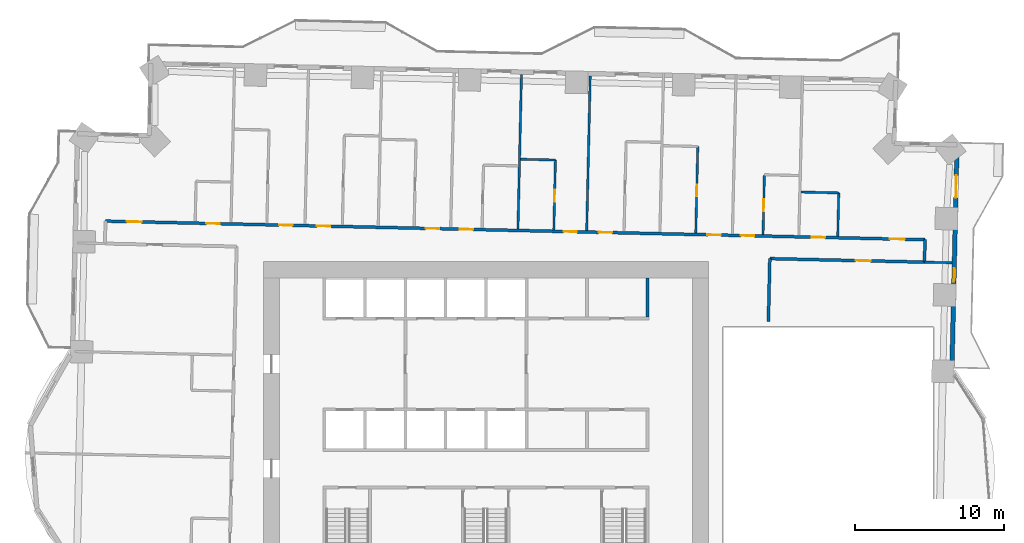
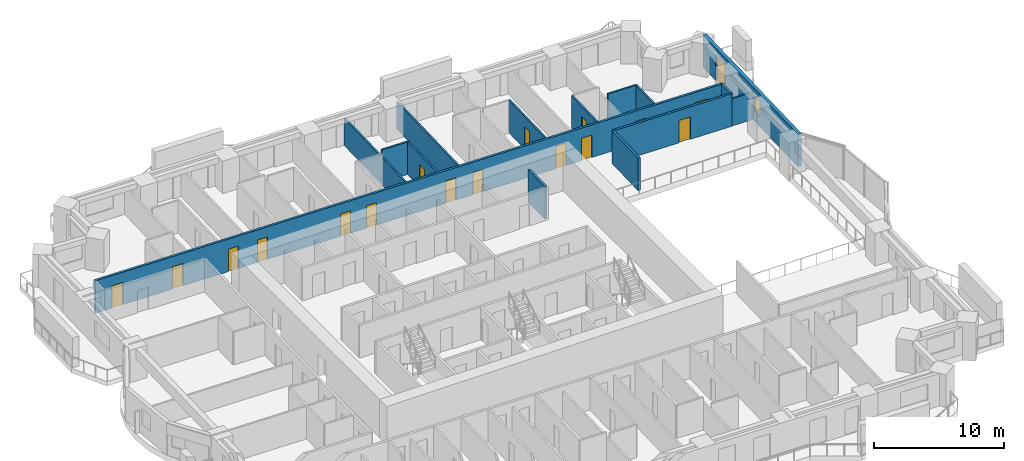
# One storey, part 13 of 20: 17 doors, 15 walls, 1 window, 18 openings.
"""IFC4 building model written with IfcOpenShell, lengths in metres."""

import ifcopenshell
import ifcopenshell.guid

model = None  # the IFC model being written
_history = None  # IfcOwnerHistory: only IFC2X3 demands one
_inside = {}  # id of a spatial element -> (the spatial element, [elements in it])
_under = {}  # id of a project, library or spatial element -> (it, [spatial elements below it])
_declared = {}  # id of a project -> (the project, [libraries it declares])
_typed = {}  # id of a type object -> (the type object, [elements of that type])
_made_of = {}  # id of a material, layer set ... -> (it, [elements and type objects made of it])


def new_model(schema):
    """Start an empty IFC model of exactly this schema.

    Asked for "IFC4X3", IfcOpenShell would pick the latest addendum, in which some entities
    have other attributes; the version numbers below select the first issue.
    IFC2X3 requires an IfcOwnerHistory on every rooted entity: one is made here for all.
    """
    global model, _history
    if schema == "IFC4X3":
        model = ifcopenshell.file(schema_version=(4, 3, 0, 0))
    else:
        model = ifcopenshell.file(schema=schema)
    _inside.clear()
    _under.clear()
    _declared.clear()
    _typed.clear()
    _made_of.clear()
    _history = None
    if model.schema == "IFC2X3":
        org = make("IfcOrganization", Name="unknown")
        user = make(
            "IfcPersonAndOrganization",
            ThePerson=make("IfcPerson", FamilyName="unknown"),
            TheOrganization=org,
        )
        app = make(
            "IfcApplication",
            ApplicationDeveloper=org,
            Version="unknown",
            ApplicationFullName="unknown",
            ApplicationIdentifier="unknown",
        )
        _history = make(
            "IfcOwnerHistory",
            OwningUser=user,
            OwningApplication=app,
            ChangeAction="ADDED",
            CreationDate=0,
        )
    return model


def make(cls, **values):
    """One entity of the class cls with the attributes given. An attribute that is None is left unset."""
    return model.create_entity(
        cls, **{name: value for name, value in values.items() if value is not None}
    )


def rooted(cls, **values):
    """An entity with a GlobalId (a new one), such as an element, a storey or a relation."""
    return make(cls, GlobalId=ifcopenshell.guid.new(), OwnerHistory=_history, **values)


def si_unit(unit_type, name, prefix=None):
    """IfcSIUnit, for example si_unit("LENGTHUNIT", "METRE", prefix="MILLI")."""
    return make("IfcSIUnit", UnitType=unit_type, Prefix=prefix, Name=name)


def assignment(units):
    """IfcUnitAssignment: the units of a project."""
    return None if units is None else make("IfcUnitAssignment", Units=units)


def point(xyz):
    """IfcCartesianPoint."""
    return None if xyz is None else make("IfcCartesianPoint", Coordinates=xyz)


def direction(xyz):
    """IfcDirection."""
    return None if xyz is None else make("IfcDirection", DirectionRatios=xyz)


def frame(location, z_axis=None, x_axis=None):
    """IfcAxis2Placement3D, a coordinate frame: its origin and axes. An axis left out is left unset."""
    return make(
        "IfcAxis2Placement3D",
        Location=point(location),
        Axis=direction(z_axis),
        RefDirection=direction(x_axis),
    )


def frame_2d(location, x_axis=None):
    """IfcAxis2Placement2D, a coordinate frame in the plane: its origin and x axis."""
    return make(
        "IfcAxis2Placement2D", Location=point(location), RefDirection=direction(x_axis)
    )


def origin():
    """The frame at (0, 0, 0) with its axes left unset."""
    return frame((0.0, 0.0, 0.0))


def place(relative_to, where):
    """IfcLocalPlacement: puts the frame where relative to a parent placement (None: the world)."""
    return make(
        "IfcLocalPlacement", PlacementRelTo=relative_to, RelativePlacement=where
    )


def context(
    kind, dimensions, precision=None, world=None, true_north=None, identifier=None
):
    """IfcGeometricRepresentationContext, for example the 3D "Model" context."""
    return make(
        "IfcGeometricRepresentationContext",
        ContextIdentifier=identifier,
        ContextType=kind,
        CoordinateSpaceDimension=dimensions,
        Precision=precision,
        WorldCoordinateSystem=world,
        TrueNorth=true_north,
    )


def subcontext(parent, identifier, kind, view, scale=None):
    """IfcGeometricRepresentationSubContext, for example "Body" below "Model"."""
    return make(
        "IfcGeometricRepresentationSubContext",
        ContextIdentifier=identifier,
        ContextType=kind,
        ParentContext=parent,
        TargetScale=scale,
        TargetView=view,
    )


def project(units=None, contexts=None):
    """IfcProject with its units and contexts."""
    return rooted(
        "IfcProject",
        Name="project",
        RepresentationContexts=contexts,
        UnitsInContext=assignment(units),
    )


def spatial(cls, under=None, at=None, **own):
    """A site, building, storey or space (cls), placed at a placement, below another one or the project."""
    s = rooted(cls, ObjectPlacement=at, **own)
    if under is not None:
        _under.setdefault(under.id(), (under, []))[1].append(s)
    return s


def profile(cls, at=None, kind="AREA", **sizes):
    """A parametric profile (cls). Its sizes go by their IFC names, for example OverallWidth=200.0."""
    return make(cls, ProfileType=kind, Position=at, **sizes)


def rectangle(**sizes):
    """IfcRectangleProfileDef."""
    return profile("IfcRectangleProfileDef", **sizes)


def extrude(swept, where, along, depth):
    """IfcExtrudedAreaSolid: the profile swept, set in the frame where, extruded along a direction by depth."""
    return make(
        "IfcExtrudedAreaSolid",
        SweptArea=swept,
        Position=where,
        ExtrudedDirection=direction(along),
        Depth=depth,
    )


def shape(context_of_items, identifier, shape_type, items):
    """IfcShapeRepresentation: the items that make up one representation, for example the "Body"."""
    return make(
        "IfcShapeRepresentation",
        ContextOfItems=context_of_items,
        RepresentationIdentifier=identifier,
        RepresentationType=shape_type,
        Items=items,
    )


def material(Name=None, Category=None):
    """IfcMaterial."""
    return make("IfcMaterial", Name=Name, Category=Category)


def layer(
    of_material, thickness, ventilated=None, Name=None, Category=None, Priority=None
):
    """IfcMaterialLayer: one layer of a wall or slab, of a material (None: an air gap)."""
    return make(
        "IfcMaterialLayer",
        Material=of_material,
        LayerThickness=thickness,
        IsVentilated=ventilated,
        Name=Name,
        Category=Category,
        Priority=Priority,
    )


def layer_set(layers, Name=None):
    """IfcMaterialLayerSet."""
    return make("IfcMaterialLayerSet", MaterialLayers=layers, LayerSetName=Name)


def made_of(thing, what):
    """Note that an element or type object is made of a material, layer set ...; save() writes the relation."""
    if what is not None:
        _made_of.setdefault(what.id(), (what, []))[1].append(thing)
    return thing


def type_object(cls, material=None, **own):
    """A type object (cls), such as IfcWallType, which elements share."""
    return made_of(rooted(cls, **own), material)


def element(
    cls,
    number,
    at=None,
    inside=None,
    cuts=None,
    type_object=None,
    material=None,
    context=None,
    identifier="Body",
    shape_type=None,
    held_by="IfcProductDefinitionShape",
    body=None,
    shapes=None,
    **own,
):
    """One element of the class cls, such as IfcWall. Its Tag is "e" and its number.

    at: its placement. inside: the storey or other place that contains it. cuts: it is an
    opening in that element (IfcRelVoidsElement). A single representation is given by context,
    identifier, shape_type and body (its items); several are given by shapes. held_by: the class
    of the entity that holds the representations. save() writes the other relations.
    """
    e = rooted(cls, Tag="e%d" % number, ObjectPlacement=at, **own)
    if body is not None:
        shapes = [shape(context, identifier, shape_type, body)]
    if shapes is not None:
        e.Representation = make(held_by, Representations=shapes)
    if inside is not None:
        _inside.setdefault(inside.id(), (inside, []))[1].append(e)
    if cuts is not None:
        rooted(
            "IfcRelVoidsElement", RelatingBuildingElement=cuts, RelatedOpeningElement=e
        )
    if type_object is not None:
        _typed.setdefault(type_object.id(), (type_object, []))[1].append(e)
    return made_of(e, material)


def fill(opening, filler):
    """IfcRelFillsElement: the door or window that sits in an opening."""
    return rooted(
        "IfcRelFillsElement",
        RelatingOpeningElement=opening,
        RelatedBuildingElement=filler,
    )


def aggregate(whole, parts):
    """IfcRelAggregates: a whole, such as a stair, and the parts it consists of."""
    return rooted("IfcRelAggregates", RelatingObject=whole, RelatedObjects=parts)


def save(model, path):
    """Write the relations noted so far, then the file.

    IfcRelAggregates (storeys below a building ...), IfcRelContainedInSpatialStructure (elements
    in a storey), IfcRelDefinesByType, IfcRelAssociatesMaterial and IfcRelDeclares: one each for
    every whole, place, type object, material and project.
    """
    for whole, parts in _under.values():
        aggregate(whole, parts)
    for where, things in _inside.values():
        rooted(
            "IfcRelContainedInSpatialStructure",
            RelatedElements=things,
            RelatingStructure=where,
        )
    for kind, things in _typed.values():
        rooted("IfcRelDefinesByType", RelatedObjects=things, RelatingType=kind)
    for what, things in _made_of.values():
        rooted("IfcRelAssociatesMaterial", RelatedObjects=things, RelatingMaterial=what)
    for by, libraries in _declared.values():
        rooted("IfcRelDeclares", RelatingContext=by, RelatedDefinitions=libraries)
    model.write(path)


model = new_model("IFC4")

# Units and contexts
model_context = context("Model", 3, precision=1e-05, world=origin(), true_north=direction((0.0, 1.0)))
body_context = subcontext(model_context, "Body", "Model", "MODEL_VIEW")
ifc_project = project(units=[si_unit("LENGTHUNIT", "METRE"), si_unit("AREAUNIT", "SQUARE_METRE"), si_unit("VOLUMEUNIT", "CUBIC_METRE"), si_unit("PLANEANGLEUNIT", "RADIAN"), si_unit("MASSUNIT", "GRAM", prefix="KILO")], contexts=[model_context])

# Site, building, storey
site_placement = place(None, origin())
site = spatial("IfcSite", under=ifc_project, at=site_placement, CompositionType="ELEMENT")
building_placement = place(site_placement, origin())
building = spatial("IfcBuilding", under=site, at=building_placement, Name="Mangrove Gate Tower", CompositionType="ELEMENT")
storey_placement = place(building_placement, frame((0.0, 0.0, 60.300048828125)))
storey = spatial("IfcBuildingStorey", under=building, at=storey_placement, Name="L14", CompositionType="ELEMENT", Elevation=60.300048828125)

# Walls
ifc_material_1 = material(Name="Concrete C32/40", Category="concrete")
ifc_layer_1 = layer(ifc_material_1, 0.199951171875)
ifc_layer_set_1 = layer_set([ifc_layer_1], Name="Core room wall 200 C32/40")
wall_type_1 = type_object("IfcWallType", Name="Core room wall 200 C32/40", PredefinedType="STANDARD", material=ifc_layer_set_1)
wall_1_placement = place(storey_placement, frame((10.800048828125, 8.199951171875, 0.0), z_axis=(0.0, 0.0, 1.0), x_axis=(0.0, 1.0, 0.0)))
element("IfcWall", 1, at=wall_1_placement, inside=storey, type_object=wall_type_1, Name="WALL-L14-CORE-34", PredefinedType="STANDARD", context=body_context, shape_type="SweptSolid", body=[
    extrude(rectangle(XDim=2.60009765625, YDim=0.199951171875, at=frame_2d((1.300048828125, 0.0))), origin(), (0.0, 0.0, 1.0), 3.050048828125),
])
ifc_material_2 = material(Name="Gypsum board on steel stud, EI 60", Category="steel")
ifc_layer_2 = layer(ifc_material_2, 0.199951171875)
ifc_layer_set_2 = layer_set([ifc_layer_2], Name="Corridor wall EI 60")
wall_type_2 = type_object("IfcWallType", Name="Corridor wall EI 60", PredefinedType="PARTITIONING", material=ifc_layer_set_2)
wall_2_placement = place(storey_placement, frame((18.89111328125, 7.903076171875, 0.0), z_axis=(0.0, 0.0, 1.0), x_axis=(0.022807092041, 0.999739884446, 0.0)))
element("IfcWall", 2, at=wall_2_placement, inside=storey, type_object=wall_type_2, Name="WALL-L14-050", PredefinedType="PARTITIONING", context=body_context, shape_type="SweptSolid", body=[
    extrude(rectangle(XDim=4.206787109375, YDim=0.199951171875, at=frame_2d((2.103515625, 0.0))), origin(), (0.0, 0.0, 1.0), 3.050048828125),
])

# Wall, opening, door
wall_3_placement = place(storey_placement, frame((18.985107421875, 12.10888671875, 0.0), z_axis=(0.0, 0.0, 1.0), x_axis=(0.999742480592, -0.022693005506, 0.0)))
wall_3 = element("IfcWall", 3, at=wall_3_placement, inside=storey, type_object=wall_type_2, Name="WALL-L14-054", PredefinedType="PARTITIONING", context=body_context, shape_type="SweptSolid", body=[
    extrude(rectangle(XDim=10.349609375, YDim=0.199951171875, at=frame_2d((5.1748046875, 0.0))), origin(), (0.0, 0.0, 1.0), 3.050048828125),
])
opening_1_placement = place(wall_3_placement, frame((5.75, 0.0, 0.0)))
opening_1 = element("IfcOpeningElement", 4, at=opening_1_placement, cuts=wall_3, Name="Opening AD", PredefinedType="OPENING", context=body_context, shape_type="SweptSolid", body=[
    extrude(rectangle(XDim=1.0, YDim=2.10009765625, at=frame_2d((0.5, 1.050048828125))), frame((0.0, 0.10986328125, 0.0), z_axis=(0.0, -1.0, 0.0), x_axis=(1.0, 0.0, 0.0)), (0.0, 0.0, 1.0), 0.219970703125),
])
ifc_material_3 = material(Name="Timber door leaf", Category="wood")
door_type_1 = type_object("IfcDoorType", Name="Amenity door 1000", OperationType="SINGLE_SWING_LEFT", PredefinedType="DOOR", material=ifc_material_3)
door_1_placement = place(opening_1_placement, origin())
door_1 = element("IfcDoor", 5, at=door_1_placement, inside=storey, type_object=door_type_1, Name="DOOR-L14-KIT-c3a", OperationType="SINGLE_SWING_RIGHT", OverallHeight=2.10009765625, OverallWidth=1.0, PredefinedType="DOOR", context=body_context, shape_type="SweptSolid", body=[
    extrude(rectangle(XDim=1.0, YDim=2.10009765625, at=frame_2d((0.5, 1.050048828125))), frame((0.0, 0.02490234375, 0.0), z_axis=(0.0, -1.0, 0.0), x_axis=(1.0, 0.0, 0.0)), (0.0, 0.0, 1.0), 0.050048828125),
])
fill(opening_1, door_1)

# Wall
wall_4_placement = place(storey_placement, frame((29.333984375, 11.8740234375, 0.0), z_axis=(0.0, 0.0, 1.0), x_axis=(0.022617910375, 0.999744182344, 0.0)))
element("IfcWall", 6, at=wall_4_placement, inside=storey, type_object=wall_type_2, Name="WALL-L14-056", PredefinedType="PARTITIONING", context=body_context, shape_type="SweptSolid", body=[
    extrude(rectangle(XDim=1.50048828125, YDim=0.199951171875, at=frame_2d((0.750244140625, 0.0))), origin(), (0.0, 0.0, 1.0), 3.050048828125),
])

# Wall, openings, doors
wall_5_placement = place(storey_placement, frame((-25.4560546875, 14.617919921875, 0.0), z_axis=(0.0, 0.0, 1.0), x_axis=(0.999742687583, -0.0226838847, 0.0)))
wall_5 = element("IfcWall", 7, at=wall_5_placement, inside=storey, type_object=wall_type_2, Name="WALL-L14-057", PredefinedType="PARTITIONING", context=body_context, shape_type="SweptSolid", body=[
    extrude(rectangle(XDim=54.836181640625, YDim=0.199951171875, at=frame_2d((27.41796875, 0.0))), origin(), (0.0, 0.0, 1.0), 3.050048828125),
])
opening_2_placement = place(wall_5_placement, frame((52.492919921875, 0.0, 0.0)))
opening_2 = element("IfcOpeningElement", 8, at=opening_2_placement, cuts=wall_5, Name="Opening AD", PredefinedType="OPENING", context=body_context, shape_type="SweptSolid", body=[
    extrude(rectangle(XDim=1.0, YDim=2.10009765625, at=frame_2d((0.5, 1.050048828125))), frame((0.0, 0.10986328125, 0.0), z_axis=(0.0, -1.0, 0.0), x_axis=(1.0, 0.0, 0.0)), (0.0, 0.0, 1.0), 0.219970703125),
])
opening_3_placement = place(wall_5_placement, frame((47.25, 0.0, 0.0)))
opening_3 = element("IfcOpeningElement", 9, at=opening_3_placement, cuts=wall_5, Name="Opening SD", PredefinedType="OPENING", context=body_context, shape_type="SweptSolid", body=[
    extrude(rectangle(XDim=0.89990234375, YDim=2.10009765625, at=frame_2d((0.449951171875, 1.050048828125))), frame((0.0, 0.10986328125, 0.0), z_axis=(0.0, -1.0, 0.0), x_axis=(1.0, 0.0, 0.0)), (0.0, 0.0, 1.0), 0.219970703125),
])
opening_4_placement = place(wall_5_placement, frame((42.52490234375, 0.0, 0.0)))
opening_4 = element("IfcOpeningElement", 10, at=opening_4_placement, cuts=wall_5, Name="Opening BD", PredefinedType="OPENING", context=body_context, shape_type="SweptSolid", body=[
    extrude(rectangle(XDim=0.89990234375, YDim=2.10009765625, at=frame_2d((0.449951171875, 1.050048828125))), frame((0.0, 0.10986328125, 0.0), z_axis=(0.0, -1.0, 0.0), x_axis=(1.0, 0.0, 0.0)), (0.0, 0.0, 1.0), 0.219970703125),
])
opening_5_placement = place(wall_5_placement, frame((40.27490234375, 0.0, 0.0)))
opening_5 = element("IfcOpeningElement", 11, at=opening_5_placement, cuts=wall_5, Name="Opening BD", PredefinedType="OPENING", context=body_context, shape_type="SweptSolid", body=[
    extrude(rectangle(XDim=0.89990234375, YDim=2.10009765625, at=frame_2d((0.449951171875, 1.050048828125))), frame((0.0, 0.10986328125, 0.0), z_axis=(0.0, -1.0, 0.0), x_axis=(1.0, 0.0, 0.0)), (0.0, 0.0, 1.0), 0.219970703125),
])
opening_6_placement = place(wall_5_placement, frame((33.0, 0.0, 0.0)))
opening_6 = element("IfcOpeningElement", 12, at=opening_6_placement, cuts=wall_5, Name="Opening BD", PredefinedType="OPENING", context=body_context, shape_type="SweptSolid", body=[
    extrude(rectangle(XDim=0.89990234375, YDim=2.10009765625, at=frame_2d((0.449951171875, 1.050048828125))), frame((0.0, 0.10986328125, 0.0), z_axis=(0.0, -1.0, 0.0), x_axis=(1.0, 0.0, 0.0)), (0.0, 0.0, 1.0), 0.219970703125),
])
opening_7_placement = place(wall_5_placement, frame((30.64990234375, 0.0, 0.0)))
opening_7 = element("IfcOpeningElement", 13, at=opening_7_placement, cuts=wall_5, Name="Opening BD", PredefinedType="OPENING", context=body_context, shape_type="SweptSolid", body=[
    extrude(rectangle(XDim=0.89990234375, YDim=2.10009765625, at=frame_2d((0.449951171875, 1.050048828125))), frame((0.0, 0.10986328125, 0.0), z_axis=(0.0, -1.0, 0.0), x_axis=(1.0, 0.0, 0.0)), (0.0, 0.0, 1.0), 0.219970703125),
])
opening_8_placement = place(wall_5_placement, frame((23.699951171875, 0.0, 0.0)))
opening_8 = element("IfcOpeningElement", 14, at=opening_8_placement, cuts=wall_5, Name="Opening BD", PredefinedType="OPENING", context=body_context, shape_type="SweptSolid", body=[
    extrude(rectangle(XDim=0.89990234375, YDim=2.10009765625, at=frame_2d((0.449951171875, 1.050048828125))), frame((0.0, 0.10986328125, 0.0), z_axis=(0.0, -1.0, 0.0), x_axis=(1.0, 0.0, 0.0)), (0.0, 0.0, 1.0), 0.219970703125),
])
opening_9_placement = place(wall_5_placement, frame((21.425048828125, 0.0, 0.0)))
opening_9 = element("IfcOpeningElement", 15, at=opening_9_placement, cuts=wall_5, Name="Opening BD", PredefinedType="OPENING", context=body_context, shape_type="SweptSolid", body=[
    extrude(rectangle(XDim=0.89990234375, YDim=2.10009765625, at=frame_2d((0.449951171875, 1.050048828125))), frame((0.0, 0.10986328125, 0.0), z_axis=(0.0, -1.0, 0.0), x_axis=(1.0, 0.0, 0.0)), (0.0, 0.0, 1.0), 0.219970703125),
])
opening_10_placement = place(wall_5_placement, frame((14.14990234375, 0.0, 0.0)))
opening_10 = element("IfcOpeningElement", 16, at=opening_10_placement, cuts=wall_5, Name="Opening BD", PredefinedType="OPENING", context=body_context, shape_type="SweptSolid", body=[
    extrude(rectangle(XDim=0.89990234375, YDim=2.10009765625, at=frame_2d((0.449951171875, 1.050048828125))), frame((0.0, 0.10986328125, 0.0), z_axis=(0.0, -1.0, 0.0), x_axis=(1.0, 0.0, 0.0)), (0.0, 0.0, 1.0), 0.219970703125),
])
opening_11_placement = place(wall_5_placement, frame((11.625, 0.0, 0.0)))
opening_11 = element("IfcOpeningElement", 17, at=opening_11_placement, cuts=wall_5, Name="Opening BD", PredefinedType="OPENING", context=body_context, shape_type="SweptSolid", body=[
    extrude(rectangle(XDim=0.89990234375, YDim=2.10009765625, at=frame_2d((0.449951171875, 1.050048828125))), frame((0.0, 0.10986328125, 0.0), z_axis=(0.0, -1.0, 0.0), x_axis=(1.0, 0.0, 0.0)), (0.0, 0.0, 1.0), 0.219970703125),
])
opening_12_placement = place(wall_5_placement, frame((1.425048828125, 0.0, 0.0)))
opening_12 = element("IfcOpeningElement", 18, at=opening_12_placement, cuts=wall_5, Name="Opening AD", PredefinedType="OPENING", context=body_context, shape_type="SweptSolid", body=[
    extrude(rectangle(XDim=1.0, YDim=2.10009765625, at=frame_2d((0.5, 1.050048828125))), frame((0.0, 0.10986328125, 0.0), z_axis=(0.0, -1.0, 0.0), x_axis=(1.0, 0.0, 0.0)), (0.0, 0.0, 1.0), 0.219970703125),
])
opening_13_placement = place(wall_5_placement, frame((6.75, 0.0, 0.0)))
opening_13 = element("IfcOpeningElement", 19, at=opening_13_placement, cuts=wall_5, Name="Opening SD", PredefinedType="OPENING", context=body_context, shape_type="SweptSolid", body=[
    extrude(rectangle(XDim=0.89990234375, YDim=2.10009765625, at=frame_2d((0.449951171875, 1.050048828125))), frame((0.0, 0.10986328125, 0.0), z_axis=(0.0, -1.0, 0.0), x_axis=(1.0, 0.0, 0.0)), (0.0, 0.0, 1.0), 0.219970703125),
])
door_2_placement = place(opening_2_placement, origin())
door_2 = element("IfcDoor", 20, at=door_2_placement, inside=storey, type_object=door_type_1, Name="DOOR-L14-GAM-c3a", OperationType="SINGLE_SWING_LEFT", OverallHeight=2.10009765625, OverallWidth=1.0, PredefinedType="DOOR", context=body_context, shape_type="SweptSolid", body=[
    extrude(rectangle(XDim=1.0, YDim=2.10009765625, at=frame_2d((0.5, 1.050048828125))), frame((0.0, 0.02490234375, 0.0), z_axis=(0.0, -1.0, 0.0), x_axis=(1.0, 0.0, 0.0)), (0.0, 0.0, 1.0), 0.050048828125),
])
fill(opening_2, door_2)
door_3_placement = place(opening_12_placement, origin())
door_3 = element("IfcDoor", 21, at=door_3_placement, inside=storey, type_object=door_type_1, Name="DOOR-L14-KIT-c5a", OperationType="SINGLE_SWING_RIGHT", OverallHeight=2.10009765625, OverallWidth=1.0, PredefinedType="DOOR", context=body_context, shape_type="SweptSolid", body=[
    extrude(rectangle(XDim=1.0, YDim=2.10009765625, at=frame_2d((0.5, 1.050048828125))), frame((0.0, 0.02490234375, 0.0), z_axis=(0.0, -1.0, 0.0), x_axis=(1.0, 0.0, 0.0)), (0.0, 0.0, 1.0), 0.050048828125),
])
fill(opening_12, door_3)
ifc_material_4 = material(Name="Timber door leaf", Category="wood")
door_type_2 = type_object("IfcDoorType", Name="Bedroom door 900", OperationType="SINGLE_SWING_LEFT", PredefinedType="DOOR", material=ifc_material_4)
door_4_placement = place(opening_4_placement, origin())
door_4 = element("IfcDoor", 22, at=door_4_placement, inside=storey, type_object=door_type_2, Name="DOOR-L14-BED-c310", OperationType="SINGLE_SWING_RIGHT", OverallHeight=2.10009765625, OverallWidth=0.89990234375, PredefinedType="DOOR", context=body_context, shape_type="SweptSolid", body=[
    extrude(rectangle(XDim=0.89990234375, YDim=2.10009765625, at=frame_2d((0.449951171875, 1.050048828125))), frame((0.0, 0.02490234375, 0.0), z_axis=(0.0, -1.0, 0.0), x_axis=(1.0, 0.0, 0.0)), (0.0, 0.0, 1.0), 0.050048828125),
])
fill(opening_4, door_4)
door_5_placement = place(opening_5_placement, origin())
door_5 = element("IfcDoor", 23, at=door_5_placement, inside=storey, type_object=door_type_2, Name="DOOR-L14-BED-c311", OperationType="SINGLE_SWING_LEFT", OverallHeight=2.10009765625, OverallWidth=0.89990234375, PredefinedType="DOOR", context=body_context, shape_type="SweptSolid", body=[
    extrude(rectangle(XDim=0.89990234375, YDim=2.10009765625, at=frame_2d((0.449951171875, 1.050048828125))), frame((0.0, 0.02490234375, 0.0), z_axis=(0.0, -1.0, 0.0), x_axis=(1.0, 0.0, 0.0)), (0.0, 0.0, 1.0), 0.050048828125),
])
fill(opening_5, door_5)
door_6_placement = place(opening_6_placement, origin())
door_6 = element("IfcDoor", 24, at=door_6_placement, inside=storey, type_object=door_type_2, Name="DOOR-L14-BED-c412", OperationType="SINGLE_SWING_RIGHT", OverallHeight=2.10009765625, OverallWidth=0.89990234375, PredefinedType="DOOR", context=body_context, shape_type="SweptSolid", body=[
    extrude(rectangle(XDim=0.89990234375, YDim=2.10009765625, at=frame_2d((0.449951171875, 1.050048828125))), frame((0.0, 0.02490234375, 0.0), z_axis=(0.0, -1.0, 0.0), x_axis=(1.0, 0.0, 0.0)), (0.0, 0.0, 1.0), 0.050048828125),
])
fill(opening_6, door_6)
door_7_placement = place(opening_7_placement, origin())
door_7 = element("IfcDoor", 25, at=door_7_placement, inside=storey, type_object=door_type_2, Name="DOOR-L14-BED-c413", OperationType="SINGLE_SWING_LEFT", OverallHeight=2.10009765625, OverallWidth=0.89990234375, PredefinedType="DOOR", context=body_context, shape_type="SweptSolid", body=[
    extrude(rectangle(XDim=0.89990234375, YDim=2.10009765625, at=frame_2d((0.449951171875, 1.050048828125))), frame((0.0, 0.02490234375, 0.0), z_axis=(0.0, -1.0, 0.0), x_axis=(1.0, 0.0, 0.0)), (0.0, 0.0, 1.0), 0.050048828125),
])
fill(opening_7, door_7)
door_8_placement = place(opening_8_placement, origin())
door_8 = element("IfcDoor", 26, at=door_8_placement, inside=storey, type_object=door_type_2, Name="DOOR-L14-BED-c414", OperationType="SINGLE_SWING_RIGHT", OverallHeight=2.10009765625, OverallWidth=0.89990234375, PredefinedType="DOOR", context=body_context, shape_type="SweptSolid", body=[
    extrude(rectangle(XDim=0.89990234375, YDim=2.10009765625, at=frame_2d((0.449951171875, 1.050048828125))), frame((0.0, 0.02490234375, 0.0), z_axis=(0.0, -1.0, 0.0), x_axis=(1.0, 0.0, 0.0)), (0.0, 0.0, 1.0), 0.050048828125),
])
fill(opening_8, door_8)
door_9_placement = place(opening_9_placement, origin())
door_9 = element("IfcDoor", 27, at=door_9_placement, inside=storey, type_object=door_type_2, Name="DOOR-L14-BED-c515", OperationType="SINGLE_SWING_LEFT", OverallHeight=2.10009765625, OverallWidth=0.89990234375, PredefinedType="DOOR", context=body_context, shape_type="SweptSolid", body=[
    extrude(rectangle(XDim=0.89990234375, YDim=2.10009765625, at=frame_2d((0.449951171875, 1.050048828125))), frame((0.0, 0.02490234375, 0.0), z_axis=(0.0, -1.0, 0.0), x_axis=(1.0, 0.0, 0.0)), (0.0, 0.0, 1.0), 0.050048828125),
])
fill(opening_9, door_9)
door_10_placement = place(opening_10_placement, origin())
door_10 = element("IfcDoor", 28, at=door_10_placement, inside=storey, type_object=door_type_2, Name="DOOR-L14-BED-c516", OperationType="SINGLE_SWING_RIGHT", OverallHeight=2.10009765625, OverallWidth=0.89990234375, PredefinedType="DOOR", context=body_context, shape_type="SweptSolid", body=[
    extrude(rectangle(XDim=0.89990234375, YDim=2.10009765625, at=frame_2d((0.449951171875, 1.050048828125))), frame((0.0, 0.02490234375, 0.0), z_axis=(0.0, -1.0, 0.0), x_axis=(1.0, 0.0, 0.0)), (0.0, 0.0, 1.0), 0.050048828125),
])
fill(opening_10, door_10)
door_11_placement = place(opening_11_placement, origin())
door_11 = element("IfcDoor", 29, at=door_11_placement, inside=storey, type_object=door_type_2, Name="DOOR-L14-BED-c517", OperationType="SINGLE_SWING_LEFT", OverallHeight=2.10009765625, OverallWidth=0.89990234375, PredefinedType="DOOR", context=body_context, shape_type="SweptSolid", body=[
    extrude(rectangle(XDim=0.89990234375, YDim=2.10009765625, at=frame_2d((0.449951171875, 1.050048828125))), frame((0.0, 0.02490234375, 0.0), z_axis=(0.0, -1.0, 0.0), x_axis=(1.0, 0.0, 0.0)), (0.0, 0.0, 1.0), 0.050048828125),
])
fill(opening_11, door_11)
ifc_material_5 = material(Name="Timber door leaf", Category="wood")
door_type_3 = type_object("IfcDoorType", Name="Service room door 900", OperationType="SINGLE_SWING_LEFT", PredefinedType="DOOR", material=ifc_material_5)
door_12_placement = place(opening_3_placement, origin())
door_12 = element("IfcDoor", 30, at=door_12_placement, inside=storey, type_object=door_type_3, Name="DOOR-L14-AWC-c3a", OperationType="SINGLE_SWING_LEFT", OverallHeight=2.10009765625, OverallWidth=0.89990234375, PredefinedType="DOOR", context=body_context, shape_type="SweptSolid", body=[
    extrude(rectangle(XDim=0.89990234375, YDim=2.10009765625, at=frame_2d((0.449951171875, 1.050048828125))), frame((0.0, 0.02490234375, 0.0), z_axis=(0.0, -1.0, 0.0), x_axis=(1.0, 0.0, 0.0)), (0.0, 0.0, 1.0), 0.050048828125),
])
fill(opening_3, door_12)
door_13_placement = place(opening_13_placement, origin())
door_13 = element("IfcDoor", 31, at=door_13_placement, inside=storey, type_object=door_type_3, Name="DOOR-L14-WC-c5a", OperationType="SINGLE_SWING_RIGHT", OverallHeight=2.10009765625, OverallWidth=0.89990234375, PredefinedType="DOOR", context=body_context, shape_type="SweptSolid", body=[
    extrude(rectangle(XDim=0.89990234375, YDim=2.10009765625, at=frame_2d((0.449951171875, 1.050048828125))), frame((0.0, 0.02490234375, 0.0), z_axis=(0.0, -1.0, 0.0), x_axis=(1.0, 0.0, 0.0)), (0.0, 0.0, 1.0), 0.050048828125),
])
fill(opening_13, door_13)

# Wall, openings, door, window
ifc_material_6 = material(Name="Limestone", Category="masonry")
ifc_layer_3 = layer(ifc_material_6, 0.0400390625, Name="Limestone cladding")
ifc_material_7 = material(Name="Ventilated air gap")
ifc_layer_4 = layer(ifc_material_7, 0.0400390625, Name="Ventilated cavity")
ifc_material_8 = material(Name="Mineral wool insulation")
ifc_layer_5 = layer(ifc_material_8, 0.06005859375, Name="Insulation")
ifc_material_9 = material(Name="Breather membrane")
ifc_layer_6 = layer(ifc_material_9, 0.001953125, Name="Breather membrane")
ifc_material_10 = material(Name="Concrete C20/25 blockwork", Category="masonry")
ifc_layer_7 = layer(ifc_material_10, 0.14990234375, Name="Blockwork backing wall")
ifc_material_11 = material(Name="Gypsum plaster")
ifc_layer_8 = layer(ifc_material_11, 0.008056640625, Name="Internal plaster")
ifc_layer_set_3 = layer_set([ifc_layer_3, ifc_layer_4, ifc_layer_5, ifc_layer_6, ifc_layer_7, ifc_layer_8], Name="External wall 300 limestone cladding")
wall_type_3 = type_object("IfcWallType", Name="External wall 300 limestone cladding", PredefinedType="SOLIDWALL", material=ifc_layer_set_3)
wall_6_placement = place(storey_placement, frame((31.1650390625, 4.501953125, 0.0), z_axis=(0.0, 0.0, 1.0), x_axis=(0.022716307128, 0.999741951401, 0.0)))
wall_6 = element("IfcWall", 32, at=wall_6_placement, inside=storey, type_object=wall_type_3, Name="WALL-L14-E2", PredefinedType="SOLIDWALL", context=body_context, shape_type="SweptSolid", body=[
    extrude(rectangle(XDim=15.22900390625, YDim=0.300048828125, at=frame_2d((7.614501953125, 0.0))), origin(), (0.0, 0.0, 1.0), 3.050048828125),
])
opening_14_placement = place(wall_6_placement, frame((6.072021484375, 0.0, 0.89990234375)))
opening_14 = element("IfcOpeningElement", 33, at=opening_14_placement, cuts=wall_6, Name="Opening W5", PredefinedType="OPENING", context=body_context, shape_type="SweptSolid", body=[
    extrude(rectangle(XDim=0.89990234375, YDim=1.5, at=frame_2d((0.449951171875, 0.75))), frame((0.0, 0.159912109375, 0.0), z_axis=(0.0, -1.0, 0.0), x_axis=(1.0, 0.0, 0.0)), (0.0, 0.0, 1.0), 0.320068359375),
])
opening_15_placement = place(wall_6_placement, frame((11.68408203125, 0.0, 0.0)))
opening_15 = element("IfcOpeningElement", 34, at=opening_15_placement, cuts=wall_6, Name="Opening BD1", PredefinedType="OPENING", context=body_context, shape_type="SweptSolid", body=[
    extrude(rectangle(XDim=1.5, YDim=2.39990234375, at=frame_2d((0.75, 1.199951171875))), frame((0.0, 0.159912109375, 0.0), z_axis=(0.0, -1.0, 0.0), x_axis=(1.0, 0.0, 0.0)), (0.0, 0.0, 1.0), 0.320068359375),
])
ifc_material_12 = material(Name="Aluminium frame with laminated clear glass", Category="aluminium")
door_type_4 = type_object("IfcDoorType", Name="Balcony sliding door 1500x2400", OperationType="SLIDING_TO_LEFT", PredefinedType="DOOR", material=ifc_material_12)
door_14_placement = place(opening_15_placement, origin())
door_14 = element("IfcDoor", 35, at=door_14_placement, inside=storey, type_object=door_type_4, Name="DOOR-L14-E2-2", OperationType="SLIDING_TO_LEFT", OverallHeight=2.39990234375, OverallWidth=1.5, PredefinedType="DOOR", context=body_context, shape_type="SweptSolid", body=[
    extrude(rectangle(XDim=1.5, YDim=2.39990234375, at=frame_2d((0.75, 1.199951171875))), frame((0.0, 0.02490234375, 0.0), z_axis=(0.0, -1.0, 0.0), x_axis=(1.0, 0.0, 0.0)), (0.0, 0.0, 1.0), 0.050048828125),
])
fill(opening_15, door_14)
ifc_material_13 = material(Name="Aluminium frame with double-glazed low-e glass", Category="aluminium")
window_type = type_object("IfcWindowType", Name="Narrow window 900x1500", PartitioningType="SINGLE_PANEL", PredefinedType="WINDOW", material=ifc_material_13)
window_placement = place(opening_14_placement, origin())
window = element("IfcWindow", 36, at=window_placement, inside=storey, type_object=window_type, Name="WIN-L14-E2-1", OverallHeight=1.5, OverallWidth=0.89990234375, PartitioningType="SINGLE_PANEL", PredefinedType="WINDOW", context=body_context, shape_type="SweptSolid", body=[
    extrude(rectangle(XDim=0.89990234375, YDim=1.5, at=frame_2d((0.449951171875, 0.75))), frame((0.0, 0.030029296875, 0.0), z_axis=(0.0, -1.0, 0.0), x_axis=(1.0, 0.0, 0.0)), (0.0, 0.0, 1.0), 0.06005859375),
])
fill(opening_14, window)

# Walls
ifc_material_14 = material(Name="Gypsum board on steel stud, EI 60", Category="steel")
ifc_layer_9 = layer(ifc_material_14, 0.14990234375)
ifc_layer_set_4 = layer_set([ifc_layer_9], Name="Party wall 150 EI 60")
wall_type_4 = type_object("IfcWallType", Name="Party wall 150 EI 60", PredefinedType="PARTITIONING", material=ifc_layer_set_4)
wall_7_placement = place(storey_placement, frame((29.33203125, 11.8740234375, 0.0), z_axis=(0.0, 0.0, 1.0), x_axis=(0.999742448242, -0.022694430658, 0.0)))
element("IfcWall", 37, at=wall_7_placement, inside=storey, type_object=wall_type_4, Name="WALL-L14-055", PredefinedType="PARTITIONING", context=body_context, shape_type="SweptSolid", body=[
    extrude(rectangle(XDim=1.850341796875, YDim=0.14990234375, at=frame_2d((0.92529296875, 0.0))), origin(), (0.0, 0.0, 1.0), 2.550048828125),
])
wall_8_placement = place(storey_placement, frame((2.136962890625, 14.092041015625, 0.0), z_axis=(0.0, 0.0, 1.0), x_axis=(0.022716582742, 0.999741945138, 0.0)))
element("IfcWall", 38, at=wall_8_placement, inside=storey, type_object=wall_type_4, Name="WALL-L14-067", PredefinedType="PARTITIONING", context=body_context, shape_type="SweptSolid", body=[
    extrude(rectangle(XDim=10.349609375, YDim=0.14990234375, at=frame_2d((5.1748046875, 0.0))), origin(), (0.0, 0.0, 1.0), 2.550048828125),
])

# Wall, opening, door
wall_9_placement = place(storey_placement, frame((4.537109375, 14.037109375, 0.0), z_axis=(0.0, 0.0, 1.0), x_axis=(0.022688155425, 0.999742590672, 0.0)))
wall_9 = element("IfcWall", 39, at=wall_9_placement, inside=storey, type_object=wall_type_4, Name="WALL-L14-068", PredefinedType="PARTITIONING", context=body_context, shape_type="SweptSolid", body=[
    extrude(rectangle(XDim=4.670166015625, YDim=0.14990234375, at=frame_2d((2.3349609375, 0.0))), origin(), (0.0, 0.0, 1.0), 3.050048828125),
])
opening_16_placement = place(wall_9_placement, frame((1.885009765625, 0.0, 0.0)))
opening_16 = element("IfcOpeningElement", 40, at=opening_16_placement, cuts=wall_9, Name="Opening ED", PredefinedType="OPENING", context=body_context, shape_type="SweptSolid", body=[
    extrude(rectangle(XDim=0.800048828125, YDim=2.10009765625, at=frame_2d((0.39990234375, 1.050048828125))), frame((0.0, 0.0849609375, 0.0), z_axis=(0.0, -1.0, 0.0), x_axis=(1.0, 0.0, 0.0)), (0.0, 0.0, 1.0), 0.169921875),
])
ifc_material_15 = material(Name="Timber door leaf", Category="wood")
door_type_5 = type_object("IfcDoorType", Name="En-suite door 800", OperationType="SINGLE_SWING_LEFT", PredefinedType="DOOR", material=ifc_material_15)
door_15_placement = place(opening_16_placement, origin())
door_15 = element("IfcDoor", 41, at=door_15_placement, inside=storey, type_object=door_type_5, Name="DOOR-L14-ENS-c413", OperationType="SINGLE_SWING_LEFT", OverallHeight=2.10009765625, OverallWidth=0.800048828125, PredefinedType="DOOR", context=body_context, shape_type="SweptSolid", body=[
    extrude(rectangle(XDim=0.800048828125, YDim=2.10009765625, at=frame_2d((0.39990234375, 1.050048828125))), frame((0.0, 0.02490234375, 0.0), z_axis=(0.0, -1.0, 0.0), x_axis=(1.0, 0.0, 0.0)), (0.0, 0.0, 1.0), 0.050048828125),
])
fill(opening_16, door_15)

# Wall
wall_10_placement = place(storey_placement, frame((6.736083984375, 13.988037109375, 0.0), z_axis=(0.0, 0.0, 1.0), x_axis=(0.022693005506, 0.999742480592, 0.0)))
element("IfcWall", 42, at=wall_10_placement, inside=storey, type_object=wall_type_4, Name="WALL-L14-069", PredefinedType="PARTITIONING", context=body_context, shape_type="SweptSolid", body=[
    extrude(rectangle(XDim=10.349609375, YDim=0.14990234375, at=frame_2d((5.1748046875, 0.0))), origin(), (0.0, 0.0, 1.0), 2.550048828125),
])

# Wall, opening, door
wall_11_placement = place(storey_placement, frame((14.033935546875, 13.822021484375, 0.0), z_axis=(0.0, 0.0, 1.0), x_axis=(0.022813362582, 0.999739741377, 0.0)))
wall_11 = element("IfcWall", 43, at=wall_11_placement, inside=storey, type_object=wall_type_4, Name="WALL-L14-072", PredefinedType="PARTITIONING", context=body_context, shape_type="SweptSolid", body=[
    extrude(rectangle(XDim=5.78955078125, YDim=0.14990234375, at=frame_2d((2.894775390625, 0.0))), origin(), (0.0, 0.0, 1.0), 3.050048828125),
])
opening_17_placement = place(wall_11_placement, frame((2.445068359375, 0.0, 0.0)))
opening_17 = element("IfcOpeningElement", 44, at=opening_17_placement, cuts=wall_11, Name="Opening ED", PredefinedType="OPENING", context=body_context, shape_type="SweptSolid", body=[
    extrude(rectangle(XDim=0.800048828125, YDim=2.10009765625, at=frame_2d((0.39990234375, 1.050048828125))), frame((0.0, 0.0849609375, 0.0), z_axis=(0.0, -1.0, 0.0), x_axis=(1.0, 0.0, 0.0)), (0.0, 0.0, 1.0), 0.169921875),
])
door_16_placement = place(opening_17_placement, origin())
door_16 = element("IfcDoor", 45, at=door_16_placement, inside=storey, type_object=door_type_5, Name="DOOR-L14-ENS-c311", OperationType="SINGLE_SWING_LEFT", OverallHeight=2.10009765625, OverallWidth=0.800048828125, PredefinedType="DOOR", context=body_context, shape_type="SweptSolid", body=[
    extrude(rectangle(XDim=0.800048828125, YDim=2.10009765625, at=frame_2d((0.39990234375, 1.050048828125))), frame((0.0, 0.02490234375, 0.0), z_axis=(0.0, -1.0, 0.0), x_axis=(1.0, 0.0, 0.0)), (0.0, 0.0, 1.0), 0.050048828125),
])
fill(opening_17, door_16)

wall_12_placement = place(storey_placement, frame((18.532958984375, 13.719970703125, 0.0), z_axis=(0.0, 0.0, 1.0), x_axis=(0.022765770952, 0.999740826251, 0.0)))
wall_12 = element("IfcWall", 46, at=wall_12_placement, inside=storey, type_object=wall_type_4, Name="WALL-L14-074", PredefinedType="PARTITIONING", context=body_context, shape_type="SweptSolid", body=[
    extrude(rectangle(XDim=4.0, YDim=0.14990234375, at=frame_2d((2.0, 0.0))), origin(), (0.0, 0.0, 1.0), 3.050048828125),
])
opening_18_placement = place(wall_12_placement, frame((1.550048828125, 0.0, 0.0)))
opening_18 = element("IfcOpeningElement", 47, at=opening_18_placement, cuts=wall_12, Name="Opening ED", PredefinedType="OPENING", context=body_context, shape_type="SweptSolid", body=[
    extrude(rectangle(XDim=0.800048828125, YDim=2.10009765625, at=frame_2d((0.39990234375, 1.050048828125))), frame((0.0, 0.0849609375, 0.0), z_axis=(0.0, -1.0, 0.0), x_axis=(1.0, 0.0, 0.0)), (0.0, 0.0, 1.0), 0.169921875),
])
door_17_placement = place(opening_18_placement, origin())
door_17 = element("IfcDoor", 48, at=door_17_placement, inside=storey, type_object=door_type_5, Name="DOOR-L14-ENS-c310", OperationType="SINGLE_SWING_RIGHT", OverallHeight=2.10009765625, OverallWidth=0.800048828125, PredefinedType="DOOR", context=body_context, shape_type="SweptSolid", body=[
    extrude(rectangle(XDim=0.800048828125, YDim=2.10009765625, at=frame_2d((0.39990234375, 1.050048828125))), frame((0.0, 0.02490234375, 0.0), z_axis=(0.0, -1.0, 0.0), x_axis=(1.0, 0.0, 0.0)), (0.0, 0.0, 1.0), 0.050048828125),
])
fill(opening_18, door_17)

# Walls
wall_13_placement = place(storey_placement, frame((23.531982421875, 13.60595703125, 0.0), z_axis=(0.0, 0.0, 1.0), x_axis=(0.022723317103, 0.999741792094, 0.0)))
element("IfcWall", 49, at=wall_13_placement, inside=storey, type_object=wall_type_4, Name="WALL-L14-076", PredefinedType="PARTITIONING", context=body_context, shape_type="SweptSolid", body=[
    extrude(rectangle(XDim=2.90087890625, YDim=0.14990234375, at=frame_2d((1.450439453125, 0.0))), origin(), (0.0, 0.0, 1.0), 3.050048828125),
])
wall_14_placement = place(storey_placement, frame((21.074951171875, 16.56298828125, 0.0), z_axis=(0.0, 0.0, 1.0), x_axis=(0.999746356616, -0.022521599255, 0.0)))
element("IfcWall", 50, at=wall_14_placement, inside=storey, type_object=wall_type_4, Name="WALL-L14-078", PredefinedType="PARTITIONING", context=body_context, shape_type="SweptSolid", body=[
    extrude(rectangle(XDim=2.52587890625, YDim=0.14990234375, at=frame_2d((1.262939453125, 0.0))), origin(), (0.0, 0.0, 1.0), 3.050048828125),
])
wall_15_placement = place(storey_placement, frame((2.320068359375, 18.759033203125, 0.0), z_axis=(0.0, 0.0, 1.0), x_axis=(0.999740478815, -0.022781023197, 0.0)))
element("IfcWall", 51, at=wall_15_placement, inside=storey, type_object=wall_type_4, Name="WALL-L14-081", PredefinedType="PARTITIONING", context=body_context, shape_type="SweptSolid", body=[
    extrude(rectangle(XDim=2.325439453125, YDim=0.14990234375, at=frame_2d((1.16259765625, 0.0))), origin(), (0.0, 0.0, 1.0), 3.050048828125),
])

save(model, "model.ifc")
